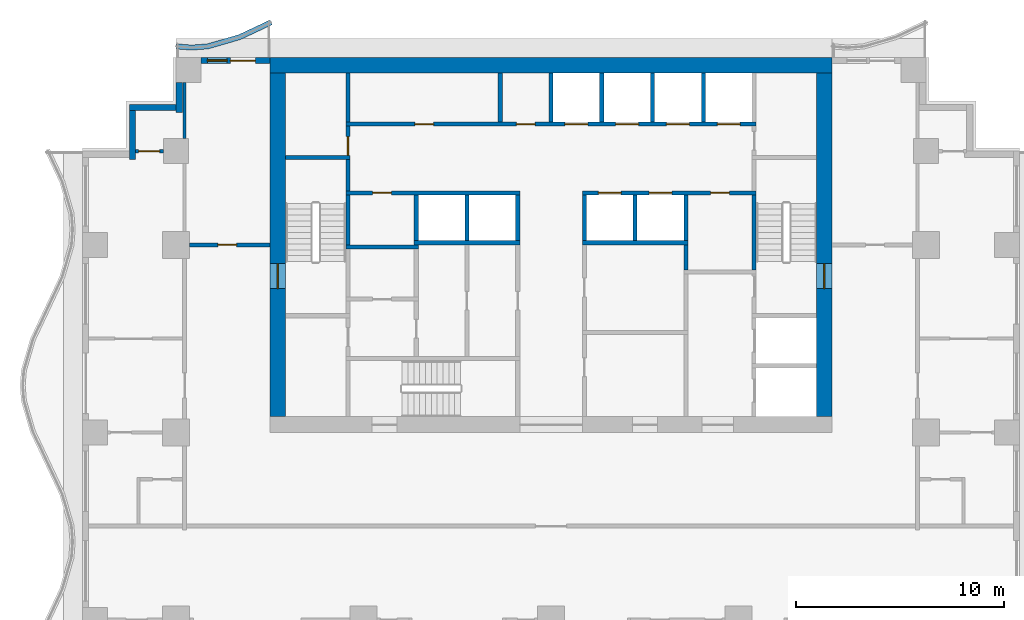
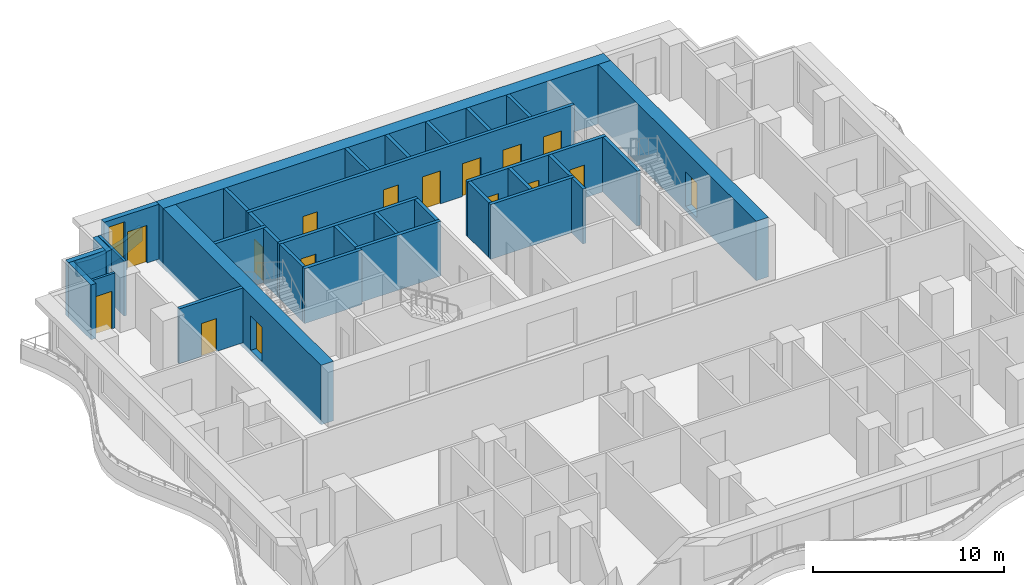
# One storey, part 5 of 10: 35 walls, 16 doors, 1 window, 17 openings.
"""IFC4 building model written with IfcOpenShell, lengths in metres."""

from ifc_helpers import new_model, si_unit, direction, frame, frame_2d, origin, place, context, subcontext, project, spatial, polyline, rectangle, outline, extrude, material, layer, layer_set, type_object, element, fill, save


model = new_model("IFC4")

# Units and contexts
model_context = context("Model", 3, precision=1e-05, world=origin(), true_north=direction((0.0, 1.0)))
body_context = subcontext(model_context, "Body", "Model", "MODEL_VIEW")
ifc_project = project(units=[si_unit("LENGTHUNIT", "METRE"), si_unit("AREAUNIT", "SQUARE_METRE"), si_unit("VOLUMEUNIT", "CUBIC_METRE"), si_unit("PLANEANGLEUNIT", "RADIAN"), si_unit("MASSUNIT", "GRAM", prefix="KILO")], contexts=[model_context])

# Site, building, storey
site_placement = place(None, origin())
site = spatial("IfcSite", under=ifc_project, at=site_placement, CompositionType="ELEMENT")
building_placement = place(site_placement, origin())
building = spatial("IfcBuilding", under=site, at=building_placement, Name="Orbiselva Terraces", CompositionType="ELEMENT")
storey_placement = place(building_placement, frame((0.0, 0.0, 128.8)))
storey = spatial("IfcBuildingStorey", under=building, at=storey_placement, Name="L32", CompositionType="ELEMENT", Elevation=128.8)

# Wall, opening, door
ifc_material_1 = material(Name="Concrete C80/95", Category="concrete")
ifc_layer_1 = layer(ifc_material_1, 0.75)
ifc_layer_set_1 = layer_set([ifc_layer_1], Name="Concrete C80/95")
wall_type_1 = type_object("IfcWallType", Name="CORE WALL 750", PredefinedType="SHEAR", material=ifc_layer_set_1)
wall_1_placement = place(storey_placement, frame((13.125, 5.25, -0.3), z_axis=(0.0, 0.0, 1.0), x_axis=(0.0, 1.0, 0.0)))
wall_1 = element("IfcWall", 1, at=wall_1_placement, inside=storey, type_object=wall_type_1, Name="Core wall L32 east", PredefinedType="SHEAR", context=body_context, shape_type="SweptSolid", body=[
    extrude(rectangle(XDim=16.5, YDim=0.75, at=frame_2d((8.25, 0.0))), origin(), (0.0, 0.0, 1.0), 3.8),
])
opening_1_placement = place(wall_1_placement, frame((6.15, 0.0, 0.3)))
opening_1 = element("IfcOpeningElement", 2, at=opening_1_placement, cuts=wall_1, Name="Opening DS1200", PredefinedType="OPENING", context=body_context, shape_type="SweptSolid", body=[
    extrude(rectangle(XDim=1.2, YDim=2.2, at=frame_2d((0.6, 1.1))), frame((0.0, 0.385, 0.0), z_axis=(0.0, -1.0, 0.0), x_axis=(1.0, 0.0, 0.0)), (0.0, 0.0, 1.0), 0.77),
])
ifc_material_2 = material(Name="Steel fire door", Category="steel")
door_type_1 = type_object("IfcDoorType", Name="STAIR DOOR 1200", OperationType="NOTDEFINED", PredefinedType="DOOR", material=ifc_material_2)
door_1_placement = place(opening_1_placement, frame((1.2, 0.0, 0.0), z_axis=(0.0, 0.0, 1.0), x_axis=(-1.0, 0.0, 0.0)))
door_1 = element("IfcDoor", 3, at=door_1_placement, inside=storey, type_object=door_type_1, Name="L32 EXIT STAIR S2 door", OperationType="SINGLE_SWING_LEFT", OverallHeight=2.2, OverallWidth=1.2, PredefinedType="DOOR", context=body_context, shape_type="SweptSolid", body=[
    extrude(rectangle(XDim=1.2, YDim=2.2, at=frame_2d((0.6, 1.1))), frame((0.0, 0.025, 0.0), z_axis=(0.0, -1.0, 0.0), x_axis=(1.0, 0.0, 0.0)), (0.0, 0.0, 1.0), 0.05),
])
fill(opening_1, door_1)

wall_2_placement = place(storey_placement, frame((-13.125, 21.75, -0.3), z_axis=(0.0, 0.0, 1.0), x_axis=(0.0, -1.0, 0.0)))
wall_2 = element("IfcWall", 4, at=wall_2_placement, inside=storey, type_object=wall_type_1, Name="Core wall L32 west", PredefinedType="SHEAR", context=body_context, shape_type="SweptSolid", body=[
    extrude(rectangle(XDim=16.5, YDim=0.75, at=frame_2d((8.25, 0.0))), origin(), (0.0, 0.0, 1.0), 3.8),
])
opening_2_placement = place(wall_2_placement, frame((9.15, 0.0, 0.3)))
opening_2 = element("IfcOpeningElement", 5, at=opening_2_placement, cuts=wall_2, Name="Opening DS1200", PredefinedType="OPENING", context=body_context, shape_type="SweptSolid", body=[
    extrude(rectangle(XDim=1.2, YDim=2.2, at=frame_2d((0.6, 1.1))), frame((0.0, 0.385, 0.0), z_axis=(0.0, -1.0, 0.0), x_axis=(1.0, 0.0, 0.0)), (0.0, 0.0, 1.0), 0.77),
])
door_2_placement = place(opening_2_placement, frame((1.2, 0.0, 0.0), z_axis=(0.0, 0.0, 1.0), x_axis=(-1.0, 0.0, 0.0)))
door_2 = element("IfcDoor", 6, at=door_2_placement, inside=storey, type_object=door_type_1, Name="L32 EXIT STAIR S1 door", OperationType="SINGLE_SWING_RIGHT", OverallHeight=2.2, OverallWidth=1.2, PredefinedType="DOOR", context=body_context, shape_type="SweptSolid", body=[
    extrude(rectangle(XDim=1.2, YDim=2.2, at=frame_2d((0.6, 1.1))), frame((0.0, 0.025, 0.0), z_axis=(0.0, -1.0, 0.0), x_axis=(1.0, 0.0, 0.0)), (0.0, 0.0, 1.0), 0.05),
])
fill(opening_2, door_2)

# Wall
ifc_layer_2 = layer(ifc_material_1, 0.75)
ifc_layer_set_2 = layer_set([ifc_layer_2], Name="Concrete C80/95")
wall_type_2 = type_object("IfcWallType", Name="CORE WALL 750 EXTERNAL", PredefinedType="SHEAR", material=ifc_layer_set_2)
wall_3_placement = place(storey_placement, frame((13.5, 22.125, -0.3), z_axis=(0.0, 0.0, 1.0), x_axis=(-1.0, 0.0, 0.0)))
element("IfcWall", 7, at=wall_3_placement, inside=storey, type_object=wall_type_2, Name="Core wall L32 north", PredefinedType="SHEAR", context=body_context, shape_type="SweptSolid", body=[
    extrude(rectangle(XDim=27.0, YDim=0.75, at=frame_2d((13.5, 0.0))), origin(), (0.0, 0.0, 1.0), 3.8),
])

# Wall, opening, door
ifc_material_3 = material(Name="Masonry blockwork", Category="masonry")
ifc_layer_3 = layer(ifc_material_3, 0.2)
ifc_layer_set_3 = layer_set([ifc_layer_3], Name="Masonry blockwork")
wall_type_3 = type_object("IfcWallType", Name="CORE-WALL-PARTITION-200", PredefinedType="PARTITIONING", material=ifc_layer_set_3)
wall_4_placement = place(storey_placement, frame((-9.75, 17.8, 0.0), z_axis=(0.0, 0.0, 1.0), x_axis=(0.0, 1.0, 0.0)))
wall_4 = element("IfcWall", 8, at=wall_4_placement, inside=storey, type_object=wall_type_3, Name="L32 core wall 13", PredefinedType="PARTITIONING", context=body_context, shape_type="SweptSolid", body=[
    extrude(rectangle(XDim=1.4, YDim=0.2, at=frame_2d((0.7, 0.0))), origin(), (0.0, 0.0, 1.0), 3.5),
])
opening_3_placement = place(wall_4_placement, origin())
opening_3 = element("IfcOpeningElement", 9, at=opening_3_placement, cuts=wall_4, Name="Opening DR900", PredefinedType="OPENING", context=body_context, shape_type="SweptSolid", body=[
    extrude(rectangle(XDim=0.9, YDim=2.1, at=frame_2d((0.45, 1.05))), frame((0.0, 0.11, 0.0), z_axis=(0.0, -1.0, 0.0), x_axis=(1.0, 0.0, 0.0)), (0.0, 0.0, 1.0), 0.22),
])
door_type_2 = type_object("IfcDoorType", Name="ROOM DOOR 900", OperationType="NOTDEFINED", PredefinedType="DOOR", material=ifc_material_2)
door_3_placement = place(opening_3_placement, origin())
door_3 = element("IfcDoor", 10, at=door_3_placement, inside=storey, type_object=door_type_2, Name="L32 COMMS RISER ROOM door", OperationType="SINGLE_SWING_LEFT", OverallHeight=2.1, OverallWidth=0.9, PredefinedType="DOOR", context=body_context, shape_type="SweptSolid", body=[
    extrude(rectangle(XDim=0.9, YDim=2.1, at=frame_2d((0.45, 1.05))), frame((0.0, 0.025, 0.0), z_axis=(0.0, -1.0, 0.0), x_axis=(1.0, 0.0, 0.0)), (0.0, 0.0, 1.0), 0.05),
])
fill(opening_3, door_3)

# Walls
for number, where, z_axis, x_axis, name in (
    (11, (-9.75, 19.4, 0.0), (0.0, 0.0, 1.0), (0.0, 1.0, 0.0), "L32 core wall 15"),
    (12, (-2.4375, 19.4, 0.0), (0.0, 0.0, 1.0), (0.0, 1.0, 0.0), "L32 core wall 22"),
):
    element("IfcWall", number, at=place(storey_placement, frame(where, z_axis=z_axis, x_axis=x_axis)), inside=storey, type_object=wall_type_3, Name=name, PredefinedType="PARTITIONING", context=body_context, shape_type="SweptSolid", body=[
        extrude(rectangle(XDim=2.35, YDim=0.2, at=frame_2d((1.175, 0.0))), origin(), (0.0, 0.0, 1.0), 3.5),
    ])
wall_5_placement = place(storey_placement, frame((6.475, 12.3, 0.0), z_axis=(0.0, 0.0, 1.0), x_axis=(0.0, 1.0, 0.0)))
element("IfcWall", 13, at=wall_5_placement, inside=storey, type_object=wall_type_3, Name="L32 core wall 39", PredefinedType="PARTITIONING", context=body_context, shape_type="SweptSolid", body=[
    extrude(rectangle(XDim=1.2, YDim=0.2, at=frame_2d((0.6, 0.0))), origin(), (0.0, 0.0, 1.0), 3.5),
])
ifc_material_4 = material(Name="Concrete C40/50", Category="concrete")
ifc_layer_4 = layer(ifc_material_4, 0.2)
ifc_layer_set_4 = layer_set([ifc_layer_4], Name="Concrete C40/50")
wall_type_4 = type_object("IfcWallType", Name="CORE-WALL-SHAFT-200", PredefinedType="PARTITIONING", material=ifc_layer_set_4)
for number, where, z_axis, x_axis, name in (
    (14, (-6.475, 13.7, 0.0), (0.0, 0.0, 1.0), (0.0, 1.0, 0.0), "L32 core wall 19"),
    (15, (-4.0375, 13.7, 0.0), (0.0, 0.0, 1.0), (0.0, 1.0, 0.0), "L32 core wall 21"),
    (16, (-1.6, 13.7, 0.0), (0.0, 0.0, 1.0), (0.0, 1.0, 0.0), "L32 core wall 25"),
):
    element("IfcWall", number, at=place(storey_placement, frame(where, z_axis=z_axis, x_axis=x_axis)), inside=storey, type_object=wall_type_4, Name=name, PredefinedType="PARTITIONING", context=body_context, shape_type="SweptSolid", body=[
        extrude(rectangle(XDim=2.2, YDim=0.2, at=frame_2d((1.1, 0.0))), origin(), (0.0, 0.0, 1.0), 3.5),
    ])
wall_6_placement = place(storey_placement, frame((0.0, 19.4, 0.0), z_axis=(0.0, 0.0, 1.0), x_axis=(0.0, 1.0, 0.0)))
element("IfcWall", 17, at=wall_6_placement, inside=storey, type_object=wall_type_4, Name="L32 core wall 26", PredefinedType="PARTITIONING", context=body_context, shape_type="SweptSolid", body=[
    extrude(rectangle(XDim=2.35, YDim=0.2, at=frame_2d((1.175, 0.0))), origin(), (0.0, 0.0, 1.0), 3.5),
])
wall_7_placement = place(storey_placement, frame((1.6, 13.7, 0.0), z_axis=(0.0, 0.0, 1.0), x_axis=(0.0, 1.0, 0.0)))
element("IfcWall", 18, at=wall_7_placement, inside=storey, type_object=wall_type_4, Name="L32 core wall 31", PredefinedType="PARTITIONING", context=body_context, shape_type="SweptSolid", body=[
    extrude(rectangle(XDim=2.2, YDim=0.2, at=frame_2d((1.1, 0.0))), origin(), (0.0, 0.0, 1.0), 3.5),
])
wall_8_placement = place(storey_placement, frame((2.4375, 19.4, 0.0), z_axis=(0.0, 0.0, 1.0), x_axis=(0.0, 1.0, 0.0)))
element("IfcWall", 19, at=wall_8_placement, inside=storey, type_object=wall_type_4, Name="L32 core wall 33", PredefinedType="PARTITIONING", context=body_context, shape_type="SweptSolid", body=[
    extrude(rectangle(XDim=2.35, YDim=0.2, at=frame_2d((1.175, 0.0))), origin(), (0.0, 0.0, 1.0), 3.5),
])
wall_9_placement = place(storey_placement, frame((4.0375, 13.7, 0.0), z_axis=(0.0, 0.0, 1.0), x_axis=(0.0, 1.0, 0.0)))
element("IfcWall", 20, at=wall_9_placement, inside=storey, type_object=wall_type_4, Name="L32 core wall 34", PredefinedType="PARTITIONING", context=body_context, shape_type="SweptSolid", body=[
    extrude(rectangle(XDim=2.2, YDim=0.2, at=frame_2d((1.1, 0.0))), origin(), (0.0, 0.0, 1.0), 3.5),
])
wall_10_placement = place(storey_placement, frame((4.875, 19.4, 0.0), z_axis=(0.0, 0.0, 1.0), x_axis=(0.0, 1.0, 0.0)))
element("IfcWall", 21, at=wall_10_placement, inside=storey, type_object=wall_type_4, Name="L32 core wall 35", PredefinedType="PARTITIONING", context=body_context, shape_type="SweptSolid", body=[
    extrude(rectangle(XDim=2.35, YDim=0.2, at=frame_2d((1.175, 0.0))), origin(), (0.0, 0.0, 1.0), 3.5),
])
wall_11_placement = place(storey_placement, frame((6.475, 13.7, 0.0), z_axis=(0.0, 0.0, 1.0), x_axis=(0.0, 1.0, 0.0)))
element("IfcWall", 22, at=wall_11_placement, inside=storey, type_object=wall_type_4, Name="L32 core wall 40", PredefinedType="PARTITIONING", context=body_context, shape_type="SweptSolid", body=[
    extrude(rectangle(XDim=2.2, YDim=0.2, at=frame_2d((1.1, 0.0))), origin(), (0.0, 0.0, 1.0), 3.5),
])
wall_12_placement = place(storey_placement, frame((7.3125, 19.4, 0.0), z_axis=(0.0, 0.0, 1.0), x_axis=(0.0, 1.0, 0.0)))
element("IfcWall", 23, at=wall_12_placement, inside=storey, type_object=wall_type_4, Name="L32 core wall 41", PredefinedType="PARTITIONING", context=body_context, shape_type="SweptSolid", body=[
    extrude(rectangle(XDim=2.35, YDim=0.2, at=frame_2d((1.175, 0.0))), origin(), (0.0, 0.0, 1.0), 3.5),
])
ifc_material_5 = material(Name="Concrete C60/75", Category="concrete")
ifc_layer_5 = layer(ifc_material_5, 0.2)
ifc_layer_set_5 = layer_set([ifc_layer_5], Name="Concrete C60/75")
wall_type_5 = type_object("IfcWallType", Name="CORE-WALL-SHEAR-200", PredefinedType="SHEAR", material=ifc_layer_set_5)
wall_13_placement = place(storey_placement, frame((-12.75, 17.7, 0.0), z_axis=(0.0, 0.0, 1.0), x_axis=(1.0, 0.0, 0.0)))
element("IfcWall", 24, at=wall_13_placement, inside=storey, type_object=wall_type_5, Name="L32 core wall 02", PredefinedType="SHEAR", context=body_context, shape_type="SweptSolid", body=[
    extrude(rectangle(XDim=3.1, YDim=0.2, at=frame_2d((1.55, 0.0))), origin(), (0.0, 0.0, 1.0), 3.5),
])
wall_14_placement = place(storey_placement, frame((-9.85, 13.4, 0.0), z_axis=(0.0, 0.0, 1.0), x_axis=(1.0, 0.0, 0.0)))
element("IfcWall", 25, at=wall_14_placement, inside=storey, type_object=wall_type_5, Name="L32 core wall 09", PredefinedType="SHEAR", context=body_context, shape_type="SweptSolid", body=[
    extrude(rectangle(XDim=3.475, YDim=0.2, at=frame_2d((1.7375, 0.0))), origin(), (0.0, 0.0, 1.0), 3.5),
])
wall_15_placement = place(storey_placement, frame((-9.75, 13.5, 0.0), z_axis=(0.0, 0.0, 1.0), x_axis=(0.0, 1.0, 0.0)))
element("IfcWall", 26, at=wall_15_placement, inside=storey, type_object=wall_type_5, Name="L32 core wall 10", PredefinedType="SHEAR", context=body_context, shape_type="SweptSolid", body=[
    extrude(rectangle(XDim=2.4, YDim=0.2, at=frame_2d((1.2, 0.0))), origin(), (0.0, 0.0, 1.0), 3.5),
])

# Wall, opening, door
wall_16_placement = place(storey_placement, frame((-1.5, 16.0, 0.0), z_axis=(0.0, 0.0, 1.0), x_axis=(-1.0, 0.0, 0.0)))
wall_16 = element("IfcWall", 27, at=wall_16_placement, inside=storey, type_object=wall_type_5, Name="L32 core wall 11", PredefinedType="SHEAR", context=body_context, shape_type="SweptSolid", body=[
    extrude(rectangle(XDim=8.35, YDim=0.2, at=frame_2d((4.175, 0.0))), origin(), (0.0, 0.0, 1.0), 3.5),
])
opening_4_placement = place(wall_16_placement, frame((6.1625, 0.0, 0.0)))
opening_4 = element("IfcOpeningElement", 28, at=opening_4_placement, cuts=wall_16, Name="Opening DR900", PredefinedType="OPENING", context=body_context, shape_type="SweptSolid", body=[
    extrude(rectangle(XDim=0.9, YDim=2.1, at=frame_2d((0.45, 1.05))), frame((0.0, 0.11, 0.0), z_axis=(0.0, -1.0, 0.0), x_axis=(1.0, 0.0, 0.0)), (0.0, 0.0, 1.0), 0.22),
])
door_4_placement = place(opening_4_placement, origin())
door_4 = element("IfcDoor", 29, at=door_4_placement, inside=storey, type_object=door_type_2, Name="L32 STAFF PANTRY door", OperationType="SINGLE_SWING_RIGHT", OverallHeight=2.1, OverallWidth=0.9, PredefinedType="DOOR", context=body_context, shape_type="SweptSolid", body=[
    extrude(rectangle(XDim=0.9, YDim=2.1, at=frame_2d((0.45, 1.05))), frame((0.0, 0.025, 0.0), z_axis=(0.0, -1.0, 0.0), x_axis=(1.0, 0.0, 0.0)), (0.0, 0.0, 1.0), 0.05),
])
fill(opening_4, door_4)

# Wall
wall_17_placement = place(storey_placement, frame((-9.75, 16.1, 0.0), z_axis=(0.0, 0.0, 1.0), x_axis=(0.0, 1.0, 0.0)))
element("IfcWall", 30, at=wall_17_placement, inside=storey, type_object=wall_type_5, Name="L32 core wall 12", PredefinedType="SHEAR", context=body_context, shape_type="SweptSolid", body=[
    extrude(rectangle(XDim=1.5, YDim=0.2, at=frame_2d((0.75, 0.0))), origin(), (0.0, 0.0, 1.0), 3.5),
])

# Wall, openings, doors
wall_18_placement = place(storey_placement, frame((-9.85, 19.3, 0.0), z_axis=(0.0, 0.0, 1.0), x_axis=(1.0, 0.0, 0.0)))
wall_18 = element("IfcWall", 31, at=wall_18_placement, inside=storey, type_object=wall_type_5, Name="L32 core wall 14", PredefinedType="SHEAR", context=body_context, shape_type="SweptSolid", body=[
    extrude(rectangle(XDim=19.7, YDim=0.2, at=frame_2d((9.85, 0.0))), origin(), (0.0, 0.0, 1.0), 3.5),
])
opening_5_placement = place(wall_18_placement, frame((10.51875, 0.0, 0.0)))
opening_5 = element("IfcOpeningElement", 32, at=opening_5_placement, cuts=wall_18, Name="Opening LD-HR1", PredefinedType="OPENING", context=body_context, shape_type="SweptSolid", body=[
    extrude(rectangle(XDim=1.1, YDim=2.1, at=frame_2d((0.55, 1.05))), frame((0.0, 0.11, 0.0), z_axis=(0.0, -1.0, 0.0), x_axis=(1.0, 0.0, 0.0)), (0.0, 0.0, 1.0), 0.22),
])
opening_6_placement = place(wall_18_placement, frame((12.95625, 0.0, 0.0)))
opening_6 = element("IfcOpeningElement", 33, at=opening_6_placement, cuts=wall_18, Name="Opening LD-HR2", PredefinedType="OPENING", context=body_context, shape_type="SweptSolid", body=[
    extrude(rectangle(XDim=1.1, YDim=2.1, at=frame_2d((0.55, 1.05))), frame((0.0, 0.11, 0.0), z_axis=(0.0, -1.0, 0.0), x_axis=(1.0, 0.0, 0.0)), (0.0, 0.0, 1.0), 0.22),
])
opening_7_placement = place(wall_18_placement, frame((15.39375, 0.0, 0.0)))
opening_7 = element("IfcOpeningElement", 34, at=opening_7_placement, cuts=wall_18, Name="Opening LD-HR3", PredefinedType="OPENING", context=body_context, shape_type="SweptSolid", body=[
    extrude(rectangle(XDim=1.1, YDim=2.1, at=frame_2d((0.55, 1.05))), frame((0.0, 0.11, 0.0), z_axis=(0.0, -1.0, 0.0), x_axis=(1.0, 0.0, 0.0)), (0.0, 0.0, 1.0), 0.22),
])
opening_8_placement = place(wall_18_placement, frame((17.83125, 0.0, 0.0)))
opening_8 = element("IfcOpeningElement", 35, at=opening_8_placement, cuts=wall_18, Name="Opening LD-HR4", PredefinedType="OPENING", context=body_context, shape_type="SweptSolid", body=[
    extrude(rectangle(XDim=1.1, YDim=2.1, at=frame_2d((0.55, 1.05))), frame((0.0, 0.11, 0.0), z_axis=(0.0, -1.0, 0.0), x_axis=(1.0, 0.0, 0.0)), (0.0, 0.0, 1.0), 0.22),
])
opening_9_placement = place(wall_18_placement, frame((3.3062, 0.0, 0.0)))
opening_9 = element("IfcOpeningElement", 36, at=opening_9_placement, cuts=wall_18, Name="Opening DR900", PredefinedType="OPENING", context=body_context, shape_type="SweptSolid", body=[
    extrude(rectangle(XDim=0.9, YDim=2.1, at=frame_2d((0.45, 1.05))), frame((0.0, 0.11, 0.0), z_axis=(0.0, -1.0, 0.0), x_axis=(1.0, 0.0, 0.0)), (0.0, 0.0, 1.0), 0.22),
])
opening_10_placement = place(wall_18_placement, frame((8.1812, 0.0, 0.0)))
opening_10 = element("IfcOpeningElement", 37, at=opening_10_placement, cuts=wall_18, Name="Opening DR900", PredefinedType="OPENING", context=body_context, shape_type="SweptSolid", body=[
    extrude(rectangle(XDim=0.9, YDim=2.1, at=frame_2d((0.45, 1.05))), frame((0.0, 0.11, 0.0), z_axis=(0.0, -1.0, 0.0), x_axis=(1.0, 0.0, 0.0)), (0.0, 0.0, 1.0), 0.22),
])
ifc_material_6 = material(Name="Stainless steel landing door", Category="steel")
door_type_3 = type_object("IfcDoorType", Name="LANDING DOOR 1100", OperationType="SLIDING_TO_LEFT", PredefinedType="DOOR", material=ifc_material_6)
door_5_placement = place(opening_5_placement, origin())
door_5 = element("IfcDoor", 38, at=door_5_placement, inside=storey, type_object=door_type_3, Name="L32 landing door HR1", OperationType="SLIDING_TO_RIGHT", OverallHeight=2.1, OverallWidth=1.1, PredefinedType="DOOR", context=body_context, shape_type="SweptSolid", body=[
    extrude(rectangle(XDim=1.1, YDim=2.1, at=frame_2d((0.55, 1.05))), frame((0.0, 0.025, 0.0), z_axis=(0.0, -1.0, 0.0), x_axis=(1.0, 0.0, 0.0)), (0.0, 0.0, 1.0), 0.05),
])
fill(opening_5, door_5)
door_6_placement = place(opening_6_placement, origin())
door_6 = element("IfcDoor", 39, at=door_6_placement, inside=storey, type_object=door_type_3, Name="L32 landing door HR2", OperationType="SLIDING_TO_RIGHT", OverallHeight=2.1, OverallWidth=1.1, PredefinedType="DOOR", context=body_context, shape_type="SweptSolid", body=[
    extrude(rectangle(XDim=1.1, YDim=2.1, at=frame_2d((0.55, 1.05))), frame((0.0, 0.025, 0.0), z_axis=(0.0, -1.0, 0.0), x_axis=(1.0, 0.0, 0.0)), (0.0, 0.0, 1.0), 0.05),
])
fill(opening_6, door_6)
door_7_placement = place(opening_7_placement, origin())
door_7 = element("IfcDoor", 40, at=door_7_placement, inside=storey, type_object=door_type_3, Name="L32 landing door HR3", OperationType="SLIDING_TO_RIGHT", OverallHeight=2.1, OverallWidth=1.1, PredefinedType="DOOR", context=body_context, shape_type="SweptSolid", body=[
    extrude(rectangle(XDim=1.1, YDim=2.1, at=frame_2d((0.55, 1.05))), frame((0.0, 0.025, 0.0), z_axis=(0.0, -1.0, 0.0), x_axis=(1.0, 0.0, 0.0)), (0.0, 0.0, 1.0), 0.05),
])
fill(opening_7, door_7)
door_8_placement = place(opening_8_placement, origin())
door_8 = element("IfcDoor", 41, at=door_8_placement, inside=storey, type_object=door_type_3, Name="L32 landing door HR4", OperationType="SLIDING_TO_RIGHT", OverallHeight=2.1, OverallWidth=1.1, PredefinedType="DOOR", context=body_context, shape_type="SweptSolid", body=[
    extrude(rectangle(XDim=1.1, YDim=2.1, at=frame_2d((0.55, 1.05))), frame((0.0, 0.025, 0.0), z_axis=(0.0, -1.0, 0.0), x_axis=(1.0, 0.0, 0.0)), (0.0, 0.0, 1.0), 0.05),
])
fill(opening_8, door_8)
door_9_placement = place(opening_9_placement, origin())
door_9 = element("IfcDoor", 42, at=door_9_placement, inside=storey, type_object=door_type_2, Name="L32 SERVICE LOUNGE door", OperationType="SINGLE_SWING_LEFT", OverallHeight=2.1, OverallWidth=0.9, PredefinedType="DOOR", context=body_context, shape_type="SweptSolid", body=[
    extrude(rectangle(XDim=0.9, YDim=2.1, at=frame_2d((0.45, 1.05))), frame((0.0, 0.025, 0.0), z_axis=(0.0, -1.0, 0.0), x_axis=(1.0, 0.0, 0.0)), (0.0, 0.0, 1.0), 0.05),
])
fill(opening_9, door_9)
door_10_placement = place(opening_10_placement, origin())
door_10 = element("IfcDoor", 43, at=door_10_placement, inside=storey, type_object=door_type_2, Name="L32 STAFF WC door", OperationType="SINGLE_SWING_LEFT", OverallHeight=2.1, OverallWidth=0.9, PredefinedType="DOOR", context=body_context, shape_type="SweptSolid", body=[
    extrude(rectangle(XDim=0.9, YDim=2.1, at=frame_2d((0.45, 1.05))), frame((0.0, 0.025, 0.0), z_axis=(0.0, -1.0, 0.0), x_axis=(1.0, 0.0, 0.0)), (0.0, 0.0, 1.0), 0.05),
])
fill(opening_10, door_10)

# Walls
for number, where, z_axis, x_axis, name in (
    (44, (-6.575, 13.6, 0.0), (0.0, 0.0, 1.0), (1.0, 0.0, 0.0), "L32 core wall 18"),
    (45, (1.5, 13.6, 0.0), (0.0, 0.0, 1.0), (1.0, 0.0, 0.0), "L32 core wall 30"),
):
    element("IfcWall", number, at=place(storey_placement, frame(where, z_axis=z_axis, x_axis=x_axis)), inside=storey, type_object=wall_type_5, Name=name, PredefinedType="SHEAR", context=body_context, shape_type="SweptSolid", body=[
        extrude(rectangle(XDim=5.075, YDim=0.2, at=frame_2d((2.5375, 0.0))), origin(), (0.0, 0.0, 1.0), 3.5),
    ])

# Wall, openings, doors
wall_19_placement = place(storey_placement, frame((9.85, 16.0, 0.0), z_axis=(0.0, 0.0, 1.0), x_axis=(-1.0, 0.0, 0.0)))
wall_19 = element("IfcWall", 46, at=wall_19_placement, inside=storey, type_object=wall_type_5, Name="L32 core wall 32", PredefinedType="SHEAR", context=body_context, shape_type="SweptSolid", body=[
    extrude(rectangle(XDim=8.35, YDim=0.2, at=frame_2d((4.175, 0.0))), origin(), (0.0, 0.0, 1.0), 3.5),
])
opening_11_placement = place(wall_19_placement, frame((6.48125, 0.0, 0.0)))
opening_11 = element("IfcOpeningElement", 47, at=opening_11_placement, cuts=wall_19, Name="Opening LD-HR5", PredefinedType="OPENING", context=body_context, shape_type="SweptSolid", body=[
    extrude(rectangle(XDim=1.1, YDim=2.1, at=frame_2d((0.55, 1.05))), frame((0.0, 0.11, 0.0), z_axis=(0.0, -1.0, 0.0), x_axis=(1.0, 0.0, 0.0)), (0.0, 0.0, 1.0), 0.22),
])
opening_12_placement = place(wall_19_placement, frame((4.04375, 0.0, 0.0)))
opening_12 = element("IfcOpeningElement", 48, at=opening_12_placement, cuts=wall_19, Name="Opening LD-HR6", PredefinedType="OPENING", context=body_context, shape_type="SweptSolid", body=[
    extrude(rectangle(XDim=1.1, YDim=2.1, at=frame_2d((0.55, 1.05))), frame((0.0, 0.11, 0.0), z_axis=(0.0, -1.0, 0.0), x_axis=(1.0, 0.0, 0.0)), (0.0, 0.0, 1.0), 0.22),
])
opening_13_placement = place(wall_19_placement, frame((1.2875, 0.0, 0.0)))
opening_13 = element("IfcOpeningElement", 49, at=opening_13_placement, cuts=wall_19, Name="Opening DR900", PredefinedType="OPENING", context=body_context, shape_type="SweptSolid", body=[
    extrude(rectangle(XDim=0.9, YDim=2.1, at=frame_2d((0.45, 1.05))), frame((0.0, 0.11, 0.0), z_axis=(0.0, -1.0, 0.0), x_axis=(1.0, 0.0, 0.0)), (0.0, 0.0, 1.0), 0.22),
])
door_11_placement = place(opening_11_placement, origin())
door_11 = element("IfcDoor", 50, at=door_11_placement, inside=storey, type_object=door_type_3, Name="L32 landing door HR5", OperationType="SLIDING_TO_RIGHT", OverallHeight=2.1, OverallWidth=1.1, PredefinedType="DOOR", context=body_context, shape_type="SweptSolid", body=[
    extrude(rectangle(XDim=1.1, YDim=2.1, at=frame_2d((0.55, 1.05))), frame((0.0, 0.025, 0.0), z_axis=(0.0, -1.0, 0.0), x_axis=(1.0, 0.0, 0.0)), (0.0, 0.0, 1.0), 0.05),
])
fill(opening_11, door_11)
door_12_placement = place(opening_12_placement, origin())
door_12 = element("IfcDoor", 51, at=door_12_placement, inside=storey, type_object=door_type_3, Name="L32 landing door HR6", OperationType="SLIDING_TO_RIGHT", OverallHeight=2.1, OverallWidth=1.1, PredefinedType="DOOR", context=body_context, shape_type="SweptSolid", body=[
    extrude(rectangle(XDim=1.1, YDim=2.1, at=frame_2d((0.55, 1.05))), frame((0.0, 0.025, 0.0), z_axis=(0.0, -1.0, 0.0), x_axis=(1.0, 0.0, 0.0)), (0.0, 0.0, 1.0), 0.05),
])
fill(opening_12, door_12)
door_13_placement = place(opening_13_placement, origin())
door_13 = element("IfcDoor", 52, at=door_13_placement, inside=storey, type_object=door_type_2, Name="L32 PIPE RISER ROOM door", OperationType="SINGLE_SWING_LEFT", OverallHeight=2.1, OverallWidth=0.9, PredefinedType="DOOR", context=body_context, shape_type="SweptSolid", body=[
    extrude(rectangle(XDim=0.9, YDim=2.1, at=frame_2d((0.45, 1.05))), frame((0.0, 0.025, 0.0), z_axis=(0.0, -1.0, 0.0), x_axis=(1.0, 0.0, 0.0)), (0.0, 0.0, 1.0), 0.05),
])
fill(opening_13, door_13)

# Walls
wall_20_placement = place(storey_placement, frame((9.75, 12.3, 0.0), z_axis=(0.0, 0.0, 1.0), x_axis=(0.0, 1.0, 0.0)))
element("IfcWall", 53, at=wall_20_placement, inside=storey, type_object=wall_type_5, Name="L32 core wall 47", PredefinedType="SHEAR", context=body_context, shape_type="SweptSolid", body=[
    extrude(rectangle(XDim=3.6, YDim=0.2, at=frame_2d((1.8, 0.0))), origin(), (0.0, 0.0, 1.0), 3.5),
])
ifc_layer_6 = layer(ifc_material_4, 0.25)
ifc_layer_set_6 = layer_set([ifc_layer_6], Name="Concrete C40/50")
wall_type_6 = type_object("IfcWallType", Name="ENV-PLANTER-250x900", PredefinedType="USERDEFINED", material=ifc_layer_set_6)
wall_21_placement = place(storey_placement, origin())
element("IfcWall", 54, at=wall_21_placement, inside=storey, type_object=wall_type_6, Name="Balcony planter L32 NW", ObjectType="PLANTER", PredefinedType="USERDEFINED", context=body_context, shape_type="SweptSolid", body=[
    extrude(outline(polyline([(-13.5, 24.3), (-15.0, 23.594658), (-16.5, 23.158732), (-17.25, 23.1), (-18.0, 23.158732), (-18.019518, 22.909495), (-17.25, 22.849235), (-16.454886, 22.911499), (-14.911382, 23.360069), (-13.393617, 24.073764), (-13.5, 24.3)])), origin(), (0.0, 0.0, 1.0), 0.9),
])

# Wall, openings, door, window
ifc_material_7 = material(Name="Terracotta cladding on masonry backing", Category="masonry")
ifc_layer_7 = layer(ifc_material_7, 0.3)
ifc_layer_set_7 = layer_set([ifc_layer_7], Name="Terracotta cladding on masonry backing")
wall_type_7 = type_object("IfcWallType", Name="ENV-WALL-TERRACOTTA-300", PredefinedType="SOLIDWALL", material=ifc_layer_set_7)
wall_22_placement = place(storey_placement, frame((-16.8, 22.35, 0.0), z_axis=(0.0, 0.0, 1.0), x_axis=(1.0, 0.0, 0.0)))
wall_22 = element("IfcWall", 55, at=wall_22_placement, inside=storey, type_object=wall_type_7, Name="Facade wall L32 NW", PredefinedType="SOLIDWALL", context=body_context, shape_type="SweptSolid", body=[
    extrude(rectangle(XDim=3.3, YDim=0.3, at=frame_2d((1.65, 0.0))), origin(), (0.0, 0.0, 1.0), 3.5),
])
opening_14_placement = place(wall_22_placement, frame((1.4, 0.0, 0.0)))
opening_14 = element("IfcOpeningElement", 56, at=opening_14_placement, cuts=wall_22, Name="Opening Z3-A-E15", PredefinedType="OPENING", context=body_context, shape_type="SweptSolid", body=[
    extrude(rectangle(XDim=1.2, YDim=2.4, at=frame_2d((0.6, 1.2))), frame((0.0, 0.16, 0.0), z_axis=(0.0, -1.0, 0.0), x_axis=(1.0, 0.0, 0.0)), (0.0, 0.0, 1.0), 0.32),
])
opening_15_placement = place(wall_22_placement, frame((0.3, 0.0, 0.45)))
opening_15 = element("IfcOpeningElement", 57, at=opening_15_placement, cuts=wall_22, Name="Opening WN9", PredefinedType="OPENING", context=body_context, shape_type="SweptSolid", body=[
    extrude(rectangle(XDim=0.95, YDim=2.65, at=frame_2d((0.475, 1.325))), frame((0.0, 0.16, 0.0), z_axis=(0.0, -1.0, 0.0), x_axis=(1.0, 0.0, 0.0)), (0.0, 0.0, 1.0), 0.32),
])
ifc_material_8 = material(Name="Clear low-e glazing in aluminium frame", Category="aluminium")
door_type_4 = type_object("IfcDoorType", Name="BALCONY DOOR 1200 X 2400", OperationType="DOUBLE_DOOR_SLIDING", PredefinedType="DOOR", material=ifc_material_8)
door_14_placement = place(opening_14_placement, origin())
door_14 = element("IfcDoor", 58, at=door_14_placement, inside=storey, type_object=door_type_4, Name="Z3-A-E15", OperationType="SINGLE_SWING_LEFT", OverallHeight=2.4, OverallWidth=1.2, PredefinedType="DOOR", context=body_context, shape_type="SweptSolid", body=[
    extrude(rectangle(XDim=1.2, YDim=2.4, at=frame_2d((0.6, 1.2))), frame((0.0, 0.025, 0.0), z_axis=(0.0, -1.0, 0.0), x_axis=(1.0, 0.0, 0.0)), (0.0, 0.0, 1.0), 0.05),
])
fill(opening_14, door_14)
window_type = type_object("IfcWindowType", Name="WINDOW 950 X 2650 S450", PartitioningType="TRIPLE_PANEL_VERTICAL", PredefinedType="WINDOW", material=ifc_material_8)
window_placement = place(opening_15_placement, origin())
window = element("IfcWindow", 59, at=window_placement, inside=storey, type_object=window_type, Name="Window L32 NW", OverallHeight=2.65, OverallWidth=0.95, PartitioningType="SINGLE_PANEL", PredefinedType="WINDOW", context=body_context, shape_type="SweptSolid", body=[
    extrude(rectangle(XDim=0.95, YDim=2.65, at=frame_2d((0.475, 1.325))), frame((0.0, 0.03, 0.0), z_axis=(0.0, -1.0, 0.0), x_axis=(1.0, 0.0, 0.0)), (0.0, 0.0, 1.0), 0.06),
])
fill(opening_15, window)

# Walls
wall_23_placement = place(storey_placement, frame((-17.85, 19.85, 0.0), z_axis=(0.0, 0.0, 1.0), x_axis=(0.0, 1.0, 0.0)))
element("IfcWall", 60, at=wall_23_placement, inside=storey, type_object=wall_type_7, Name="Facade wall L32 STEP", PredefinedType="SOLIDWALL", context=body_context, shape_type="SweptSolid", body=[
    extrude(rectangle(XDim=1.45, YDim=0.3, at=frame_2d((0.725, 0.0))), origin(), (0.0, 0.0, 1.0), 3.5),
])
wall_24_placement = place(storey_placement, frame((-20.25, 20.1, 0.0), z_axis=(0.0, 0.0, 1.0), x_axis=(1.0, 0.0, 0.0)))
element("IfcWall", 61, at=wall_24_placement, inside=storey, type_object=wall_type_7, Name="Facade wall L32 STEP", PredefinedType="SOLIDWALL", context=body_context, shape_type="SweptSolid", body=[
    extrude(rectangle(XDim=2.25, YDim=0.3, at=frame_2d((1.125, 0.0))), origin(), (0.0, 0.0, 1.0), 3.5),
])
wall_25_placement = place(storey_placement, frame((-20.1, 17.6, 0.0), z_axis=(0.0, 0.0, 1.0), x_axis=(0.0, 1.0, 0.0)))
element("IfcWall", 62, at=wall_25_placement, inside=storey, type_object=wall_type_7, Name="Facade wall L32 STEP", PredefinedType="SOLIDWALL", context=body_context, shape_type="SweptSolid", body=[
    extrude(rectangle(XDim=2.35, YDim=0.3, at=frame_2d((1.175, 0.0))), origin(), (0.0, 0.0, 1.0), 3.5),
])

# Wall, opening, door
ifc_material_9 = material(Name="Plasterboard on steel stud partition", Category="steel")
ifc_layer_8 = layer(ifc_material_9, 0.2)
ifc_layer_set_8 = layer_set([ifc_layer_8], Name="Plasterboard on steel stud partition")
wall_type_8 = type_object("IfcWallType", Name="UNIT-ENTRANCE-WALL-200", PredefinedType="PARTITIONING", material=ifc_layer_set_8)
wall_26_placement = place(storey_placement, frame((-17.35, 13.5, 0.0), z_axis=(0.0, 0.0, 1.0), x_axis=(1.0, 0.0, 0.0)))
wall_26 = element("IfcWall", 63, at=wall_26_placement, inside=storey, type_object=wall_type_8, Name="PARTITION L32-031", PredefinedType="PARTITIONING", context=body_context, shape_type="SweptSolid", body=[
    extrude(rectangle(XDim=3.85, YDim=0.2, at=frame_2d((1.925, 0.0))), origin(), (0.0, 0.0, 1.0), 3.5),
])
opening_16_placement = place(wall_26_placement, frame((1.35, 0.0, 0.0)))
opening_16 = element("IfcOpeningElement", 64, at=opening_16_placement, cuts=wall_26, Name="Opening Z3-A-01", PredefinedType="OPENING", context=body_context, shape_type="SweptSolid", body=[
    extrude(rectangle(XDim=0.9, YDim=2.1, at=frame_2d((0.45, 1.05))), frame((0.0, 0.11, 0.0), z_axis=(0.0, -1.0, 0.0), x_axis=(1.0, 0.0, 0.0)), (0.0, 0.0, 1.0), 0.22),
])
ifc_material_10 = material(Name="Painted timber door leaf", Category="wood")
door_type_5 = type_object("IfcDoorType", Name="SERVICE DOOR 900", OperationType="NOTDEFINED", PredefinedType="DOOR", material=ifc_material_10)
door_15_placement = place(opening_16_placement, origin())
door_15 = element("IfcDoor", 65, at=door_15_placement, inside=storey, type_object=door_type_5, Name="Z3-A-01", OperationType="SINGLE_SWING_LEFT", OverallHeight=2.1, OverallWidth=0.9, PredefinedType="DOOR", context=body_context, shape_type="SweptSolid", body=[
    extrude(rectangle(XDim=0.9, YDim=2.1, at=frame_2d((0.45, 1.05))), frame((0.0, 0.025, 0.0), z_axis=(0.0, -1.0, 0.0), x_axis=(1.0, 0.0, 0.0)), (0.0, 0.0, 1.0), 0.05),
])
fill(opening_16, door_15)

ifc_layer_9 = layer(ifc_material_9, 0.15)
ifc_layer_set_9 = layer_set([ifc_layer_9], Name="Plasterboard on steel stud partition")
wall_type_9 = type_object("IfcWallType", Name="UNIT-PARTITION-150", PredefinedType="PARTITIONING", material=ifc_layer_set_9)
wall_27_placement = place(storey_placement, frame((-19.95, 18.0, 0.0), z_axis=(0.0, 0.0, 1.0), x_axis=(1.0, 0.0, 0.0)))
wall_27 = element("IfcWall", 66, at=wall_27_placement, inside=storey, type_object=wall_type_9, Name="PARTITION L32-033", PredefinedType="PARTITIONING", context=body_context, shape_type="SweptSolid", body=[
    extrude(rectangle(XDim=1.35, YDim=0.15, at=frame_2d((0.675, 0.0))), origin(), (0.0, 0.0, 1.0), 3.5),
])
opening_17_placement = place(wall_27_placement, frame((0.15, 0.0, 0.0)))
opening_17 = element("IfcOpeningElement", 67, at=opening_17_placement, cuts=wall_27, Name="Opening Z3-A-07", PredefinedType="OPENING", context=body_context, shape_type="SweptSolid", body=[
    extrude(rectangle(XDim=1.0, YDim=2.4, at=frame_2d((0.5, 1.2))), frame((0.0, 0.085, 0.0), z_axis=(0.0, -1.0, 0.0), x_axis=(1.0, 0.0, 0.0)), (0.0, 0.0, 1.0), 0.17),
])
door_type_6 = type_object("IfcDoorType", Name="ROOM DOOR 1000", OperationType="NOTDEFINED", PredefinedType="DOOR", material=ifc_material_10)
door_16_placement = place(opening_17_placement, origin())
door_16 = element("IfcDoor", 68, at=door_16_placement, inside=storey, type_object=door_type_6, Name="Z3-A-07", OperationType="SINGLE_SWING_LEFT", OverallHeight=2.4, OverallWidth=1.0, PredefinedType="DOOR", context=body_context, shape_type="SweptSolid", body=[
    extrude(rectangle(XDim=1.0, YDim=2.4, at=frame_2d((0.5, 1.2))), frame((0.0, 0.025, 0.0), z_axis=(0.0, -1.0, 0.0), x_axis=(1.0, 0.0, 0.0)), (0.0, 0.0, 1.0), 0.05),
])
fill(opening_17, door_16)

# Wall
wall_28_placement = place(storey_placement, frame((-17.6, 18.6, 0.0), z_axis=(0.0, 0.0, 1.0), x_axis=(0.0, 1.0, 0.0)))
element("IfcWall", 69, at=wall_28_placement, inside=storey, type_object=wall_type_9, Name="PARTITION L32-040", PredefinedType="PARTITIONING", context=body_context, shape_type="SweptSolid", body=[
    extrude(rectangle(XDim=2.7, YDim=0.15, at=frame_2d((1.35, 0.0))), origin(), (0.0, 0.0, 1.0), 3.5),
])

save(model, "model.ifc")
